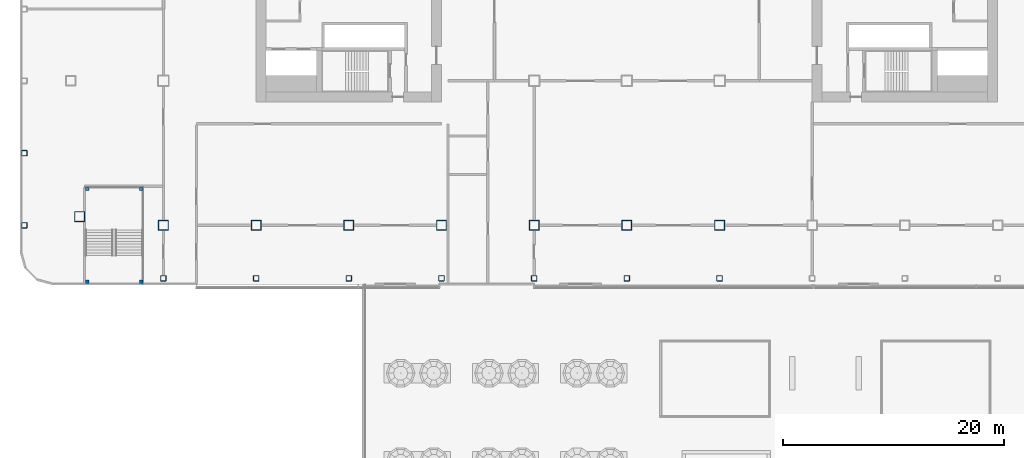
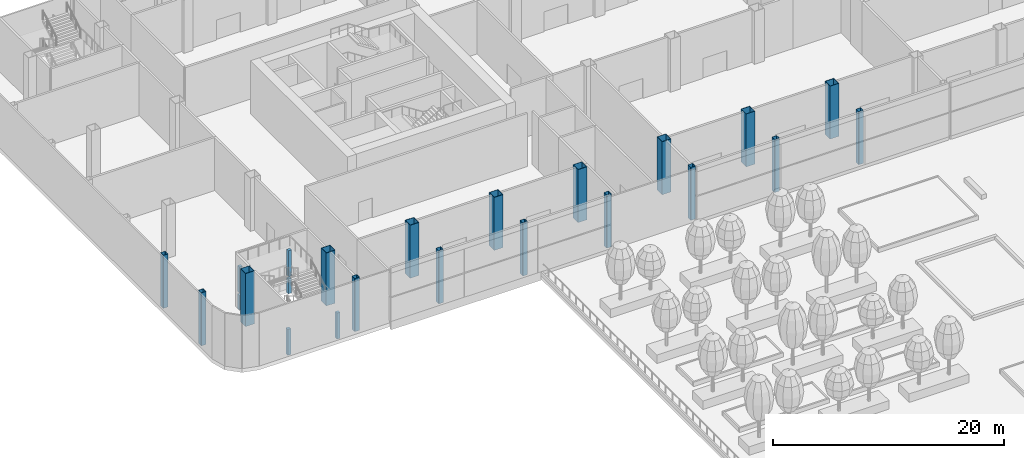
# One storey, part 1 of 100: 23 columns.
"""IFC4 building model written with IfcOpenShell, lengths in metres."""

from ifc_helpers import new_model, si_unit, direction, frame, origin, origin_2d, place, context, subcontext, project, spatial, rectangle, hollow_rectangle, extrude, material, material_profile, profile_set, type_object, element, save


model = new_model("IFC4")

# Units and contexts
model_context = context("Model", 3, precision=1e-05, world=origin(), true_north=direction((0.0, 1.0)))
body_context = subcontext(model_context, "Body", "Model", "MODEL_VIEW")
ifc_project = project(units=[si_unit("LENGTHUNIT", "METRE"), si_unit("AREAUNIT", "SQUARE_METRE"), si_unit("VOLUMEUNIT", "CUBIC_METRE"), si_unit("PLANEANGLEUNIT", "RADIAN"), si_unit("MASSUNIT", "GRAM", prefix="KILO")], contexts=[model_context])

# Site, building, storey
site_placement = place(None, origin())
site = spatial("IfcSite", under=ifc_project, at=site_placement, CompositionType="ELEMENT")
building_placement = place(site_placement, origin())
building = spatial("IfcBuilding", under=site, at=building_placement, Name="Hakoniwa Tower and Hamabe Station Hall", CompositionType="ELEMENT")
storey_placement = place(building_placement, frame((0.0, 0.0, 9.0)))
storey = spatial("IfcBuildingStorey", under=building, at=storey_placement, Name="L02", CompositionType="ELEMENT", Elevation=9.0)

# Columns
ifc_material_1 = material(Name="Steel BCR295", Category="steel")
ifc_material_profile_1 = material_profile(ifc_material_1, hollow_rectangle(XDim=0.5, YDim=0.5, WallThickness=0.01904296875, InnerFilletRadius=0.028564453125, OuterFilletRadius=0.047607421875, at=origin_2d()), Name="BCR-500x500x19")
ifc_profile_set_1 = profile_set([ifc_material_profile_1], Name="Steel BCR295")
column_type_1 = type_object("IfcColumnType", Name="COLUMN BCR-500x500x19", PredefinedType="COLUMN", material=ifc_profile_set_1)
for number, where, z_axis, x_axis, name in (
    (1, (-42.0, -24.39990234375, 0.0), (0.0, 0.0, 1.0), (1.0, 0.0, 0.0), "Column P-2-RS"),
    (2, (-33.60009765625, -24.39990234375, 0.0), (0.0, 0.0, 1.0), (1.0, 0.0, 0.0), "Column P-3-RS"),
    (3, (-25.199951171875, -24.39990234375, 0.0), (0.0, 0.0, 1.0), (1.0, 0.0, 0.0), "Column P-4-RS"),
    (4, (-16.800048828125, -24.39990234375, 0.0), (0.0, 0.0, 1.0), (1.0, 0.0, 0.0), "Column P-5-RS"),
    (5, (-8.39990234375, -24.39990234375, 0.0), (0.0, 0.0, 1.0), (1.0, 0.0, 0.0), "Column P-6-RS"),
    (6, (0.0, -24.39990234375, 0.0), (0.0, 0.0, 1.0), (1.0, 0.0, 0.0), "Column P-7-RS"),
    (7, (8.39990234375, -24.39990234375, 0.0), (0.0, 0.0, 1.0), (1.0, 0.0, 0.0), "Column P-8-RS"),
    (8, (-54.60009765625, -19.60009765625, 0.0), (0.0, 0.0, 1.0), (1.0, 0.0, 0.0), "Column P-RW-A1"),
    (9, (-54.60009765625, -13.050048828125, 0.0), (0.0, 0.0, 1.0), (1.0, 0.0, 0.0), "Column P-RW-B1"),
):
    element("IfcColumn", number, at=place(storey_placement, frame(where, z_axis=z_axis, x_axis=x_axis)), inside=storey, type_object=column_type_1, Name=name, PredefinedType="COLUMN", context=body_context, shape_type="SweptSolid", body=[
        extrude(hollow_rectangle(XDim=0.5, YDim=0.5, WallThickness=0.01904296875, InnerFilletRadius=0.028564453125, OuterFilletRadius=0.047607421875, at=origin_2d()), origin(), (0.0, 0.0, 1.0), 5.60009765625),
    ])
ifc_material_2 = material(Name="Steel SN490C", Category="steel")
ifc_material_profile_2 = material_profile(ifc_material_2, hollow_rectangle(XDim=0.89990234375, YDim=0.89990234375, WallThickness=0.035888671875, at=origin_2d()), Name="BX-900x900x36")
ifc_profile_set_2 = profile_set([ifc_material_profile_2], Name="Steel SN490C")
column_type_2 = type_object("IfcColumnType", Name="COLUMN BX-900x900x36", PredefinedType="COLUMN", material=ifc_profile_set_2)
for number, where, z_axis, x_axis, name in (
    (10, (-49.60302734375, -18.802978515625, 0.0), (0.0, 0.0, 1.0), (1.0, 0.0, 0.0), "Column P-1-A1"),
    (11, (-42.0, -19.60009765625, 0.0), (0.0, 0.0, 1.0), (1.0, 0.0, 0.0), "Column P-2-A1"),
    (12, (-33.60009765625, -19.60009765625, 0.0), (0.0, 0.0, 1.0), (1.0, 0.0, 0.0), "Column P-3-A1"),
    (13, (-25.199951171875, -19.60009765625, 0.0), (0.0, 0.0, 1.0), (1.0, 0.0, 0.0), "Column P-4-A1"),
    (14, (-16.800048828125, -19.60009765625, 0.0), (0.0, 0.0, 1.0), (1.0, 0.0, 0.0), "Column P-5-A1"),
    (15, (-8.39990234375, -19.60009765625, 0.0), (0.0, 0.0, 1.0), (1.0, 0.0, 0.0), "Column P-6-A1"),
    (16, (0.0, -19.60009765625, 0.0), (0.0, 0.0, 1.0), (1.0, 0.0, 0.0), "Column P-7-A1"),
    (17, (8.39990234375, -19.60009765625, 0.0), (0.0, 0.0, 1.0), (1.0, 0.0, 0.0), "Column P-8-A1"),
):
    element("IfcColumn", number, at=place(storey_placement, frame(where, z_axis=z_axis, x_axis=x_axis)), inside=storey, type_object=column_type_2, Name=name, PredefinedType="COLUMN", context=body_context, shape_type="SweptSolid", body=[
        extrude(hollow_rectangle(XDim=0.89990234375, YDim=0.89990234375, WallThickness=0.035888671875, at=origin_2d()), origin(), (0.0, 0.0, 1.0), 5.60009765625),
    ])
ifc_material_3 = material(Name="Concrete C40", Category="concrete")
ifc_material_profile_3 = material_profile(ifc_material_3, rectangle(XDim=0.300048828125, YDim=0.300048828125, at=origin_2d()), Name="STAIR LANDING POST 300X300")
ifc_profile_set_3 = profile_set([ifc_material_profile_3], Name="Concrete C40")
column_type_3 = type_object("IfcColumnType", Name="STAIR LANDING POST 300X300", PredefinedType="COLUMN", material=ifc_profile_set_3)
for number, where, z_axis, x_axis, name in (
    (18, (-44.0, -16.300048828125, -0.300048828125), (0.0, 0.0, 1.0), (1.0, 0.0, 0.0), "Landing post PS4 2a first floor"),
    (19, (-48.89990234375, -16.300048828125, -0.300048828125), (0.0, 0.0, 1.0), (1.0, 0.0, 0.0), "Landing post PS4 2b first floor"),
):
    element("IfcColumn", number, at=place(storey_placement, frame(where, z_axis=z_axis, x_axis=x_axis)), inside=storey, type_object=column_type_3, Name=name, PredefinedType="COLUMN", context=body_context, shape_type="SweptSolid", body=[
        extrude(rectangle(XDim=0.300048828125, YDim=0.300048828125, at=origin_2d()), origin(), (0.0, 0.0, 1.0), 1.550048828125),
    ])
for number, where, z_axis, x_axis, name in (
    (20, (-44.0, -24.699951171875, 0.0), (0.0, 0.0, 1.0), (1.0, 0.0, 0.0), "Landing post PS4 1a"),
    (21, (-48.89990234375, -24.699951171875, 0.0), (0.0, 0.0, 1.0), (1.0, 0.0, 0.0), "Landing post PS4 1b"),
    (22, (-44.0, -16.300048828125, 1.5), (0.0, 0.0, 1.0), (1.0, 0.0, 0.0), "Landing post PS4 2a"),
    (23, (-48.89990234375, -16.300048828125, 1.5), (0.0, 0.0, 1.0), (1.0, 0.0, 0.0), "Landing post PS4 2b"),
):
    element("IfcColumn", number, at=place(storey_placement, frame(where, z_axis=z_axis, x_axis=x_axis)), inside=storey, type_object=column_type_3, Name=name, PredefinedType="COLUMN", context=body_context, shape_type="SweptSolid", body=[
        extrude(rectangle(XDim=0.300048828125, YDim=0.300048828125, at=origin_2d()), origin(), (0.0, 0.0, 1.0), 2.75),
    ])

save(model, "model.ifc")
